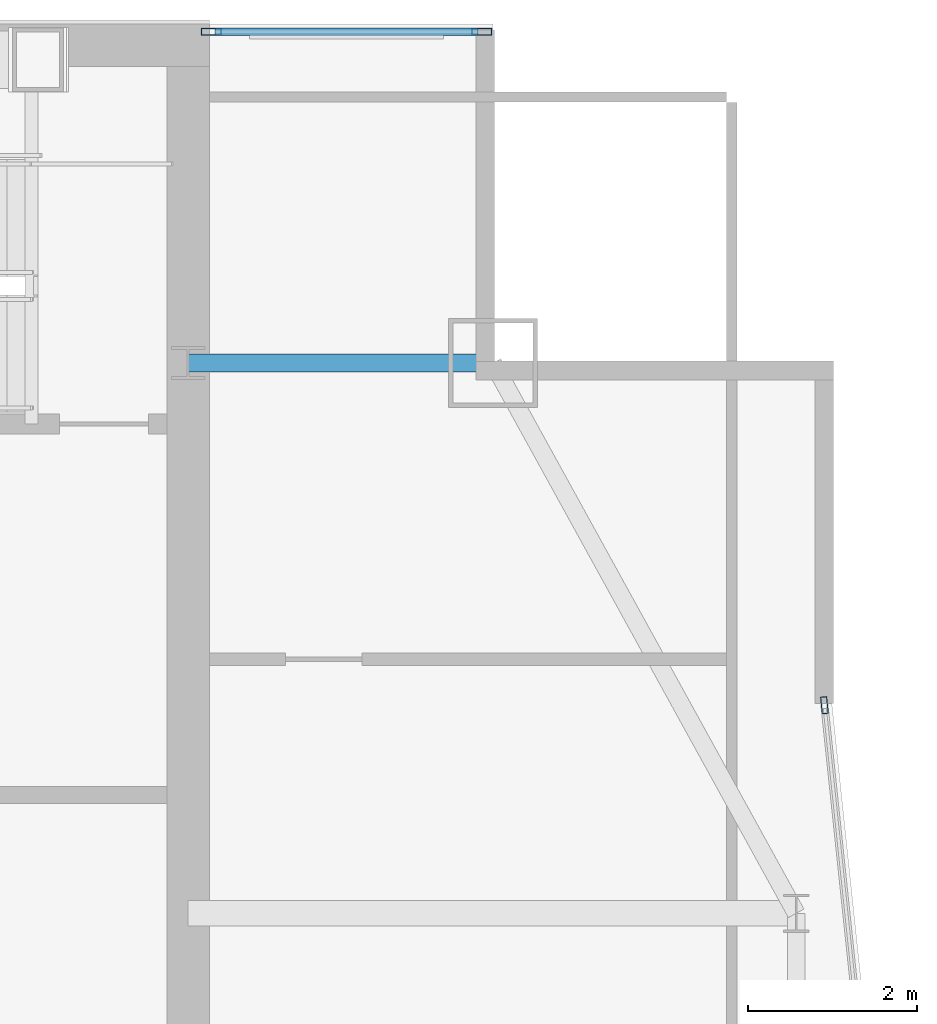
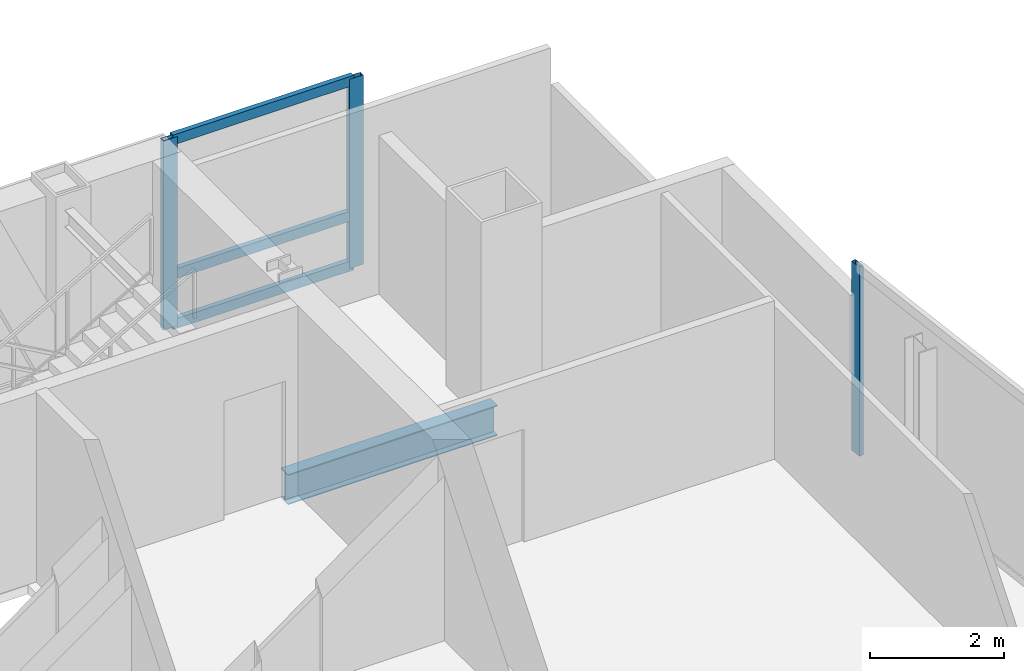
# One storey, part 23 of 30: 6 members, 1 beam, 2 elements without a shape of their own.
"""IFC4 building model written with IfcOpenShell, lengths in metres."""

from ifc_helpers import new_model, si_unit, direction, frame, origin, origin_2d, place, context, subcontext, project, spatial, hollow_rectangle, i_section, extrude, material, material_profile, profile_set, type_object, element, aggregate, save


model = new_model("IFC4")

# Units and contexts
model_context = context("Model", 3, precision=1e-05, world=origin(), true_north=direction((0.0, 1.0)))
body_context = subcontext(model_context, "Body", "Model", "MODEL_VIEW")
ifc_project = project(units=[si_unit("LENGTHUNIT", "METRE"), si_unit("AREAUNIT", "SQUARE_METRE"), si_unit("VOLUMEUNIT", "CUBIC_METRE"), si_unit("PLANEANGLEUNIT", "RADIAN"), si_unit("MASSUNIT", "GRAM", prefix="KILO")], contexts=[model_context])

# Site, building, storey
site_placement = place(None, origin())
site = spatial("IfcSite", under=ifc_project, at=site_placement, CompositionType="ELEMENT")
building_placement = place(site_placement, origin())
building = spatial("IfcBuilding", under=site, at=building_placement, Name="Khoronbel Lancet Exchange", CompositionType="ELEMENT")
storey_placement = place(building_placement, frame((0.0, 0.0, 284.199951171875)))
storey = spatial("IfcBuildingStorey", under=building, at=storey_placement, Name="L73", CompositionType="ELEMENT", Elevation=284.199951171875)

# Beam
ifc_material_1 = material(Name="Steel S355", Category="steel")
ifc_material_profile_1 = material_profile(ifc_material_1, i_section(OverallWidth=0.2099609375, OverallDepth=0.550048828125, WebThickness=0.010986328125, FlangeThickness=0.01708984375, at=origin_2d()), Name="IPE 550")
ifc_profile_set_1 = profile_set([ifc_material_profile_1], Name="Steel S355")
beam_type = type_object("IfcBeamType", Name="BM-BSP3", PredefinedType="SPANDREL", material=ifc_profile_set_1)
beam_placement = place(storey_placement, frame((60.050048828125, 49.699951171875, -0.43505859375), z_axis=(-1.0, 0.0, 0.0), x_axis=(0.0, -1.0, 0.0)))
element("IfcBeam", 1, at=beam_placement, inside=storey, type_object=beam_type, Name="Level L73 north flank tie spandrel SP23", PredefinedType="SPANDREL", context=body_context, shape_type="SweptSolid", body=[
    extrude(i_section(OverallWidth=0.2099609375, OverallDepth=0.550048828125, WebThickness=0.010986328125, FlangeThickness=0.01708984375, at=origin_2d()), origin(), (0.0, 0.0, 1.0), 3.60009765625),
])

# Curtain wall, members
ifc_material_2 = material(Name="Low-E Solar Control Insulating Glass", Category="glass")
curtain_wall_type_1 = type_object("IfcCurtainWallType", Name="CW-3", PredefinedType="NOTDEFINED", material=ifc_material_2)
curtain_wall_1_placement = place(storey_placement, origin())
curtain_wall_1 = element("IfcCurtainWall", 2, at=curtain_wall_1_placement, inside=storey, type_object=curtain_wall_type_1, Name="Unitised curtain wall CW-L73-NEFLK", PredefinedType="NOTDEFINED")
ifc_material_3 = material(Name="Bronze-Anodised Aluminium 6063-T6", Category="aluminium")
ifc_material_profile_2 = material_profile(ifc_material_3, hollow_rectangle(XDim=0.0849609375, YDim=0.239990234375, WallThickness=0.006103515625, at=origin_2d()), Name="ALU MULLION 85x240")
ifc_profile_set_2 = profile_set([ifc_material_profile_2], Name="Bronze-Anodised Aluminium 6063-T6")
member_type_1 = type_object("IfcMemberType", Name="MEM-CWM1", PredefinedType="MULLION", material=ifc_profile_set_2)
member_1_placement = place(storey_placement, frame((59.91748046875, 53.610107421875, 0.0), z_axis=(0.0, 0.0, 1.0), x_axis=(0.0, -1.0, 0.0)))
member_1 = element("IfcMember", 3, at=member_1_placement, type_object=member_type_1, Name="CW3 mullion 1", PredefinedType="MULLION", context=body_context, shape_type="SweptSolid", body=[
    extrude(hollow_rectangle(XDim=0.0849609375, YDim=0.239990234375, WallThickness=0.006103515625, at=origin_2d()), origin(), (0.0, 0.0, 1.0), 3.43994140625),
])
member_2_placement = place(storey_placement, frame((56.722412109375, 53.610107421875, 0.0), z_axis=(0.0, 0.0, 1.0), x_axis=(0.0, -1.0, 0.0)))
member_2 = element("IfcMember", 4, at=member_2_placement, type_object=member_type_1, Name="CW3 mullion 2", PredefinedType="MULLION", context=body_context, shape_type="SweptSolid", body=[
    extrude(hollow_rectangle(XDim=0.0849609375, YDim=0.239990234375, WallThickness=0.006103515625, at=origin_2d()), origin(), (0.0, 0.0, 1.0), 3.43994140625),
])

# Curtain wall, member
curtain_wall_type_2 = type_object("IfcCurtainWallType", Name="CW-4", PredefinedType="NOTDEFINED", material=ifc_material_2)
curtain_wall_2_placement = place(storey_placement, origin())
curtain_wall_2 = element("IfcCurtainWall", 5, at=curtain_wall_2_placement, inside=storey, type_object=curtain_wall_type_2, Name="Unitised curtain wall CW-L73-E17", PredefinedType="NOTDEFINED")
ifc_material_profile_3 = material_profile(ifc_material_3, hollow_rectangle(XDim=0.074951171875, YDim=0.199951171875, WallThickness=0.0048828125, at=origin_2d()), Name="ALU MULLION 75x200")
ifc_profile_set_3 = profile_set([ifc_material_profile_3], Name="Bronze-Anodised Aluminium 6063-T6")
member_type_2 = type_object("IfcMemberType", Name="MEM-CWM2", PredefinedType="MULLION", material=ifc_profile_set_3)
member_3_placement = place(storey_placement, frame((63.9638671875, 45.657958984375, 0.0), z_axis=(0.0, 0.0, 1.0), x_axis=(0.994504765069, 0.104691318907, 0.0)))
member_3 = element("IfcMember", 6, at=member_3_placement, type_object=member_type_2, Name="CW4 mullion 1", PredefinedType="MULLION", context=body_context, shape_type="SweptSolid", body=[
    extrude(hollow_rectangle(XDim=0.074951171875, YDim=0.199951171875, WallThickness=0.0048828125, at=origin_2d()), origin(), (0.0, 0.0, 1.0), 3.43994140625),
])
aggregate(curtain_wall_2, [member_3])

# Member
ifc_material_profile_4 = material_profile(ifc_material_3, hollow_rectangle(XDim=0.0849609375, YDim=0.179931640625, WallThickness=0.0048828125, at=origin_2d()), Name="ALU TRANSOM 85x180")
ifc_profile_set_4 = profile_set([ifc_material_profile_4], Name="Bronze-Anodised Aluminium 6063-T6")
member_type_3 = type_object("IfcMemberType", Name="MEM-CWT1", PredefinedType="USERDEFINED", material=ifc_profile_set_4)
member_4_placement = place(storey_placement, frame((59.875, 53.610107421875, 0.04248046875), z_axis=(-1.0, 0.0, 0.0), x_axis=(0.0, -1.0, 0.0)))
member_4 = element("IfcMember", 7, at=member_4_placement, type_object=member_type_3, Name="CW3 transom 1.1", ObjectType="TRANSOM", PredefinedType="USERDEFINED", context=body_context, shape_type="SweptSolid", body=[
    extrude(hollow_rectangle(XDim=0.0849609375, YDim=0.179931640625, WallThickness=0.0048828125, at=origin_2d()), origin(), (0.0, 0.0, 1.0), 3.110107421875),
])

member_5_placement = place(storey_placement, frame((59.875, 53.610107421875, 0.949951171875), z_axis=(-1.0, 0.0, 0.0), x_axis=(0.0, -1.0, 0.0)))
member_5 = element("IfcMember", 8, at=member_5_placement, type_object=member_type_3, Name="CW3 transom 1.2", ObjectType="TRANSOM", PredefinedType="USERDEFINED", context=body_context, shape_type="SweptSolid", body=[
    extrude(hollow_rectangle(XDim=0.0849609375, YDim=0.179931640625, WallThickness=0.0048828125, at=origin_2d()), origin(), (0.0, 0.0, 1.0), 3.110107421875),
])

member_6_placement = place(storey_placement, frame((59.875, 53.610107421875, 3.3974609375), z_axis=(-1.0, 0.0, 0.0), x_axis=(0.0, -1.0, 0.0)))
member_6 = element("IfcMember", 9, at=member_6_placement, type_object=member_type_3, Name="CW3 transom 1.3", ObjectType="TRANSOM", PredefinedType="USERDEFINED", context=body_context, shape_type="SweptSolid", body=[
    extrude(hollow_rectangle(XDim=0.0849609375, YDim=0.179931640625, WallThickness=0.0048828125, at=origin_2d()), origin(), (0.0, 0.0, 1.0), 3.110107421875),
])

aggregate(curtain_wall_1, [member_1, member_2, member_4, member_5, member_6])

save(model, "model.ifc")
